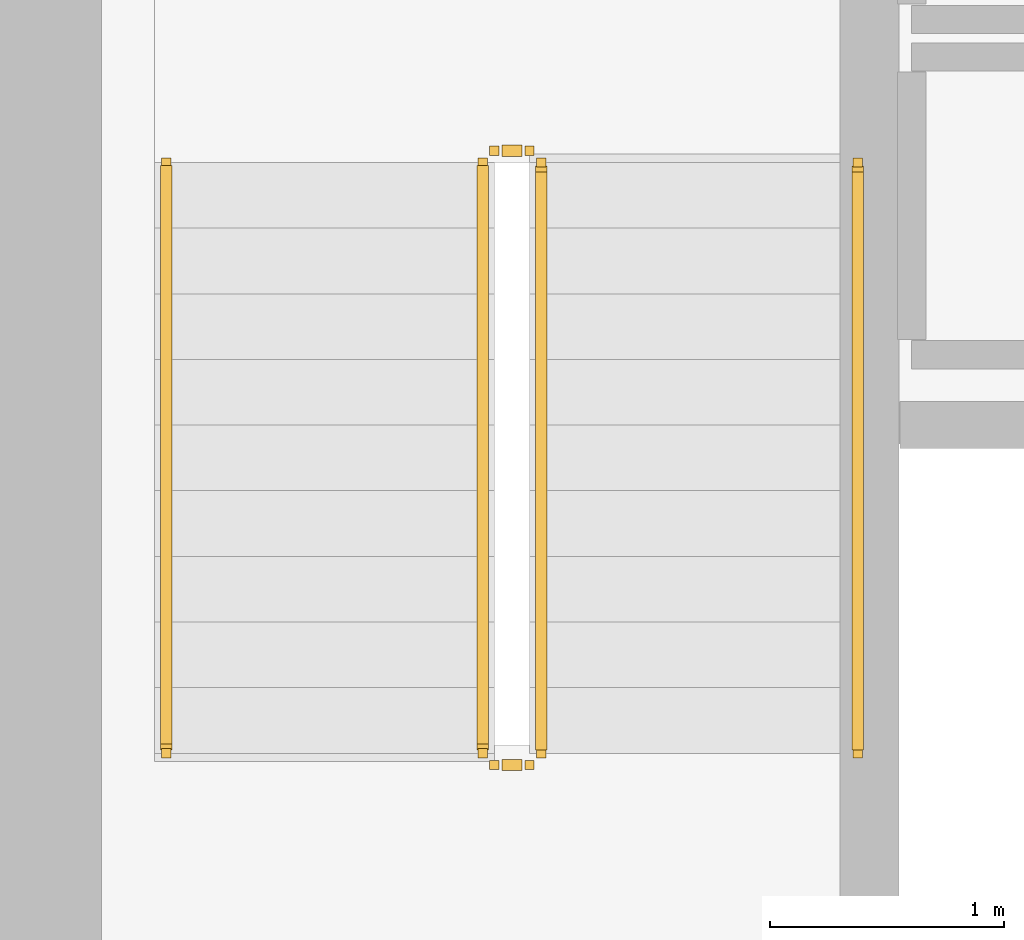
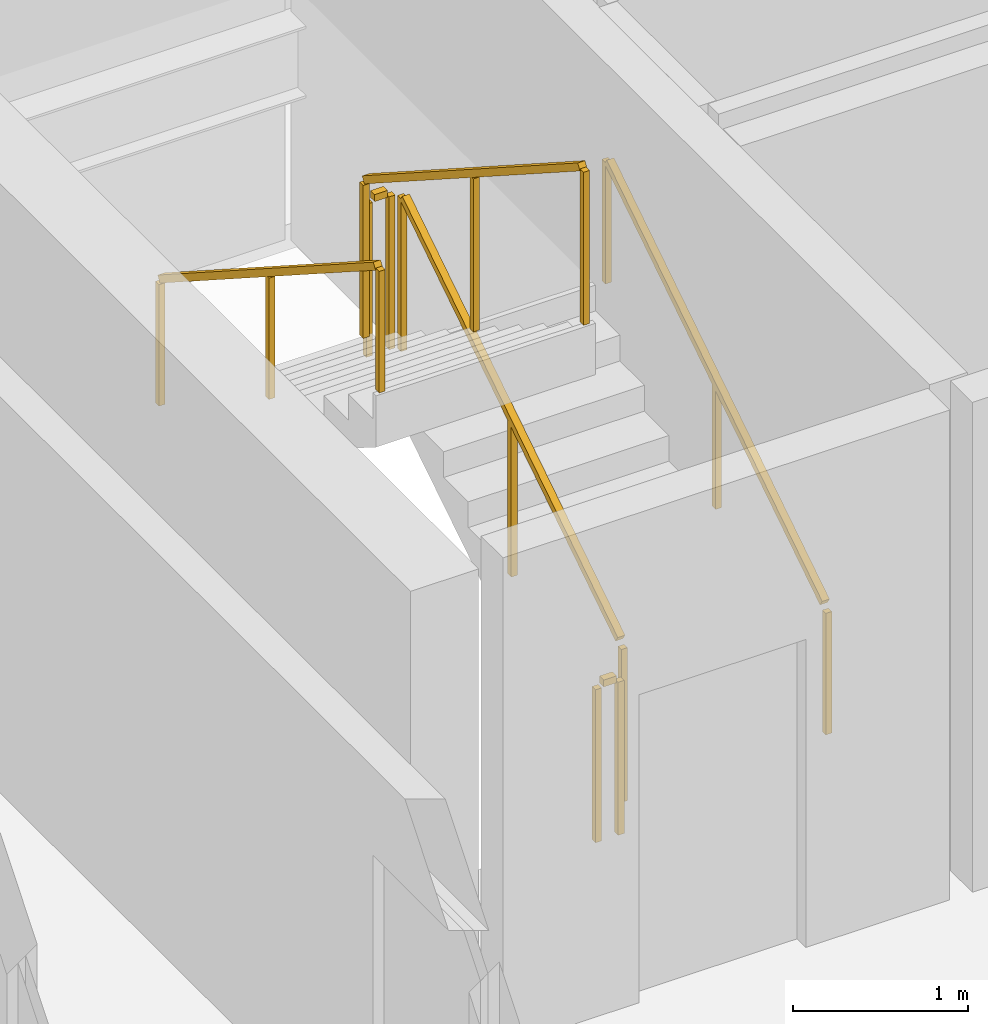
# One storey, part 14 of 17: 6 railings.
"""IFC4 building model written with IfcOpenShell, lengths in metres."""

from ifc_helpers import new_model, si_unit, direction, frame, origin, origin_2d, place, context, subcontext, project, spatial, rectangle, extrude, material, type_object, element, save


model = new_model("IFC4")

# Units and contexts
model_context = context("Model", 3, precision=1e-05, world=origin(), true_north=direction((0.0, 1.0)))
body_context = subcontext(model_context, "Body", "Model", "MODEL_VIEW")
ifc_project = project(units=[si_unit("LENGTHUNIT", "METRE"), si_unit("AREAUNIT", "SQUARE_METRE"), si_unit("VOLUMEUNIT", "CUBIC_METRE"), si_unit("PLANEANGLEUNIT", "RADIAN"), si_unit("MASSUNIT", "GRAM", prefix="KILO")], contexts=[model_context])

# Site, building, storey
site_placement = place(None, origin())
site = spatial("IfcSite", under=ifc_project, at=site_placement, CompositionType="ELEMENT")
building_placement = place(site_placement, origin())
building = spatial("IfcBuilding", under=site, at=building_placement, Name="Tharavind Bronze Gate", CompositionType="ELEMENT")
storey_placement = place(building_placement, frame((0.0, 0.0, 184.89990234375)))
storey = spatial("IfcBuildingStorey", under=building, at=storey_placement, Name="L47", CompositionType="ELEMENT", Elevation=184.89990234375)

# Railings
ifc_material = material(Name="Brushed Bronze Alloy", Category="metal")
railing_type_1 = type_object("IfcRailingType", Name="STAIR BRONZE HANDRAIL 900", PredefinedType="HANDRAIL", material=ifc_material)
railing_1_placement = place(storey_placement, frame((-5.449951171875, -2.25, 0.18017578125)))
element("IfcRailing", 1, at=railing_1_placement, inside=storey, type_object=railing_type_1, Name="L47 ST1 stair handrail 1", PredefinedType="HANDRAIL", context=body_context, shape_type="SweptSolid", body=[
    extrude(rectangle(XDim=0.048095703125, YDim=0.048095703125, at=origin_2d()), frame((0.0, 0.02685546875, 0.89306640625), z_axis=(0.0, 0.841199657755, 0.540724639528), x_axis=(-1.0, 0.0, 0.0)), (0.0, 0.0, 1.0), 2.931640625),
    extrude(rectangle(XDim=0.0400390625, YDim=0.0400390625, at=origin_2d()), origin(), (0.0, 0.0, 1.0), 0.847900390625),
    extrude(rectangle(XDim=0.0400390625, YDim=0.0400390625, at=origin_2d()), frame((0.0, 1.260009765625, 0.81005859375)), (0.0, 0.0, 1.0), 0.847900390625),
    extrude(rectangle(XDim=0.0400390625, YDim=0.0400390625, at=origin_2d()), frame((0.0, 2.52001953125, 1.619873046875)), (0.0, 0.0, 1.0), 0.847900390625),
])
railing_2_placement = place(storey_placement, frame((-8.39990234375, 0.27001953125, 1.97998046875)))
element("IfcRailing", 2, at=railing_2_placement, inside=storey, type_object=railing_type_1, Name="L47 ST1 stair handrail 2", PredefinedType="HANDRAIL", context=body_context, shape_type="SweptSolid", body=[
    extrude(rectangle(XDim=0.048095703125, YDim=0.048095703125, at=origin_2d()), frame((0.0, -0.02685546875, 0.89306640625), z_axis=(0.0, -0.841162588446, 0.540782303519), x_axis=(1.0, 0.0, 0.0)), (0.0, 0.0, 1.0), 2.931884765625),
    extrude(rectangle(XDim=0.0400390625, YDim=0.0400390625, at=origin_2d()), origin(), (0.0, 0.0, 1.0), 0.847900390625),
    extrude(rectangle(XDim=0.0400390625, YDim=0.0400390625, at=origin_2d()), frame((0.0, -1.260009765625, 0.81005859375)), (0.0, 0.0, 1.0), 0.847900390625),
    extrude(rectangle(XDim=0.0400390625, YDim=0.0400390625, at=origin_2d()), frame((0.0, -2.52001953125, 1.6201171875)), (0.0, 0.0, 1.0), 0.847900390625),
])
railing_type_2 = type_object("IfcRailingType", Name="STAIR WELL GUARD RAILING 1120", PredefinedType="GUARDRAIL", material=ifc_material)
railing_3_placement = place(storey_placement, frame((-6.800048828125, -2.25, 0.18017578125)))
element("IfcRailing", 3, at=railing_3_placement, inside=storey, type_object=railing_type_2, Name="L47 ST1 stair guard 1", PredefinedType="GUARDRAIL", context=body_context, shape_type="SweptSolid", body=[
    extrude(rectangle(XDim=0.048095703125, YDim=0.048095703125, at=origin_2d()), frame((0.0, 0.02685546875, 1.11328125), z_axis=(0.0, 0.841199657755, 0.540724639528), x_axis=(-1.0, 0.0, 0.0)), (0.0, 0.0, 1.0), 2.931640625),
    extrude(rectangle(XDim=0.0400390625, YDim=0.0400390625, at=origin_2d()), origin(), (0.0, 0.0, 1.0), 1.068115234375),
    extrude(rectangle(XDim=0.0400390625, YDim=0.0400390625, at=origin_2d()), frame((0.0, 1.260009765625, 0.81005859375)), (0.0, 0.0, 1.0), 1.068115234375),
    extrude(rectangle(XDim=0.0400390625, YDim=0.0400390625, at=origin_2d()), frame((0.0, 2.52001953125, 1.619873046875)), (0.0, 0.0, 1.0), 1.068115234375),
])
railing_4_placement = place(storey_placement, frame((-6.85009765625, 0.320068359375, 1.800048828125)))
element("IfcRailing", 4, at=railing_4_placement, inside=storey, type_object=railing_type_2, Name="L47 ST1 stair guard 2", PredefinedType="GUARDRAIL", context=body_context, shape_type="SweptSolid", body=[
    extrude(rectangle(XDim=0.048095703125, YDim=0.048095703125, at=origin_2d()), frame((-0.031982421875, 0.0, 1.09619140625), z_axis=(-1.0, 0.0, 0.0), x_axis=(0.0, -1.0, 0.0)), (0.0, 0.0, 1.0), 0.0859375),
    extrude(rectangle(XDim=0.0400390625, YDim=0.0400390625, at=origin_2d()), origin(), (0.0, 0.0, 1.0), 1.068115234375),
    extrude(rectangle(XDim=0.0400390625, YDim=0.0400390625, at=origin_2d()), frame((-0.14990234375, 0.0, 0.0)), (0.0, 0.0, 1.0), 1.068115234375),
])
railing_5_placement = place(storey_placement, frame((-7.050048828125, 0.27001953125, 1.97998046875)))
element("IfcRailing", 5, at=railing_5_placement, inside=storey, type_object=railing_type_2, Name="L47 ST1 stair guard 3", PredefinedType="GUARDRAIL", context=body_context, shape_type="SweptSolid", body=[
    extrude(rectangle(XDim=0.048095703125, YDim=0.048095703125, at=origin_2d()), frame((0.0, -0.02685546875, 1.11328125), z_axis=(0.0, -0.841162588446, 0.540782303519), x_axis=(1.0, 0.0, 0.0)), (0.0, 0.0, 1.0), 2.931884765625),
    extrude(rectangle(XDim=0.0400390625, YDim=0.0400390625, at=origin_2d()), origin(), (0.0, 0.0, 1.0), 1.068115234375),
    extrude(rectangle(XDim=0.0400390625, YDim=0.0400390625, at=origin_2d()), frame((0.0, -1.260009765625, 0.81005859375)), (0.0, 0.0, 1.0), 1.068115234375),
    extrude(rectangle(XDim=0.0400390625, YDim=0.0400390625, at=origin_2d()), frame((0.0, -2.52001953125, 1.6201171875)), (0.0, 0.0, 1.0), 1.068115234375),
])
railing_6_placement = place(storey_placement, frame((-6.85009765625, -2.300048828125, 0.0)))
element("IfcRailing", 6, at=railing_6_placement, inside=storey, type_object=railing_type_2, Name="L47 ST1 stair guard 4", PredefinedType="GUARDRAIL", context=body_context, shape_type="SweptSolid", body=[
    extrude(rectangle(XDim=0.048095703125, YDim=0.048095703125, at=origin_2d()), frame((-0.031982421875, 0.0, 1.09619140625), z_axis=(-1.0, 0.0, 0.0), x_axis=(0.0, -1.0, 0.0)), (0.0, 0.0, 1.0), 0.0859375),
    extrude(rectangle(XDim=0.0400390625, YDim=0.0400390625, at=origin_2d()), origin(), (0.0, 0.0, 1.0), 1.068115234375),
    extrude(rectangle(XDim=0.0400390625, YDim=0.0400390625, at=origin_2d()), frame((-0.14990234375, 0.0, 0.0)), (0.0, 0.0, 1.0), 1.068115234375),
])

save(model, "model.ifc")
